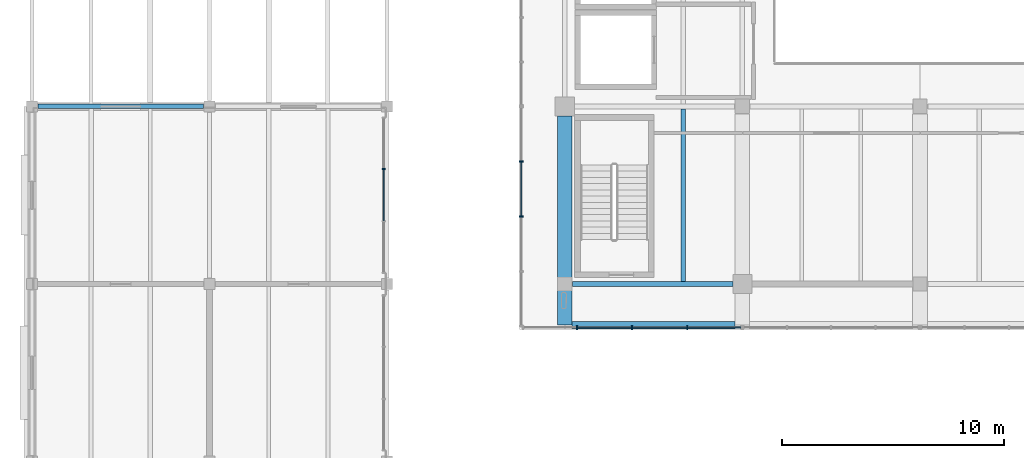
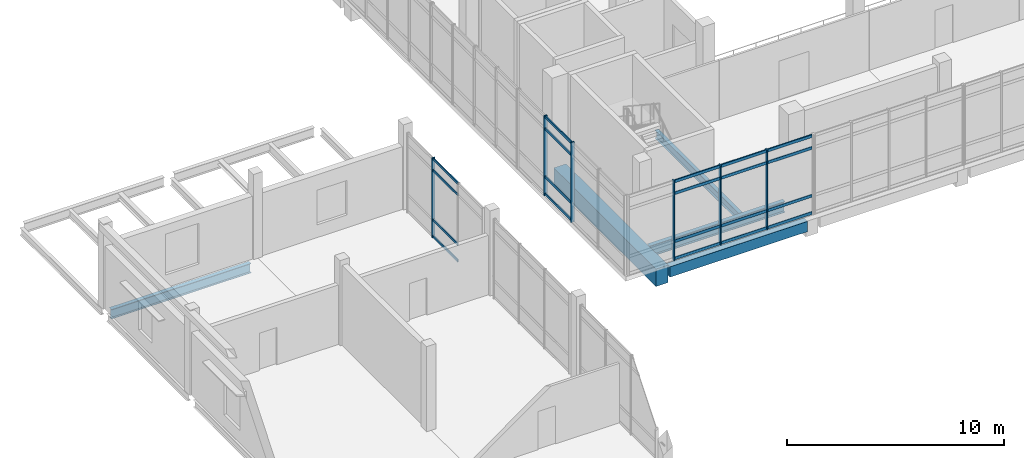
# One storey, part 4 of 28: 26 members, 5 beams, 3 elements without a shape of their own.
"""IFC4 building model written with IfcOpenShell, lengths in metres."""

from ifc_helpers import new_model, si_unit, direction, frame, origin, origin_2d, place, context, subcontext, project, spatial, rectangle, i_section, extrude, material, material_profile, profile_set, type_object, element, aggregate, save


model = new_model("IFC4")

# Units and contexts
model_context = context("Model", 3, precision=1e-05, world=origin(), true_north=direction((0.0, 1.0)))
body_context = subcontext(model_context, "Body", "Model", "MODEL_VIEW")
ifc_project = project(units=[si_unit("LENGTHUNIT", "METRE"), si_unit("AREAUNIT", "SQUARE_METRE"), si_unit("VOLUMEUNIT", "CUBIC_METRE"), si_unit("PLANEANGLEUNIT", "RADIAN"), si_unit("MASSUNIT", "GRAM", prefix="KILO")], contexts=[model_context])

# Site, building, storey
site_placement = place(None, origin())
site = spatial("IfcSite", under=ifc_project, at=site_placement, CompositionType="ELEMENT")
building_placement = place(site_placement, origin())
building = spatial("IfcBuilding", under=site, at=building_placement, Name="Pecanmere Concourse Central Library", CompositionType="ELEMENT")
storey_placement = place(building_placement, frame((0.0, 0.0, 20.10009765625)))
storey = spatial("IfcBuildingStorey", under=building, at=storey_placement, Name="L05", CompositionType="ELEMENT", Elevation=20.10009765625)

# Curtain wall, member
ifc_material_1 = material(Name="Clear anodized aluminium alloy 6063-T6", Category="aluminium")
curtain_wall_type_1 = type_object("IfcCurtainWallType", Name="CW_CLOISTER_GLAZ", PredefinedType="USERDEFINED", material=ifc_material_1)
curtain_wall_1_placement = place(storey_placement, origin())
curtain_wall_1 = element("IfcCurtainWall", 1, at=curtain_wall_1_placement, inside=storey, type_object=curtain_wall_type_1, Name="Unitised Curtain Wall CW-04 L05-162", ObjectType="UNITISED CURTAIN WALL", PredefinedType="USERDEFINED")
ifc_material_2 = material(Name="Clear anodized aluminium alloy 6063-T6", Category="aluminium")
ifc_material_profile_1 = material_profile(ifc_material_2, rectangle(XDim=0.06005859375, YDim=0.14990234375, at=origin_2d()), Name="AL 60x150")
ifc_profile_set_1 = profile_set([ifc_material_profile_1], Name="Clear anodized aluminium alloy 6063-T6")
member_type_1 = type_object("IfcMemberType", Name="CWM_150x60", PredefinedType="MULLION", material=ifc_profile_set_1)
member_1_placement = place(storey_placement, frame((63.85009765625, 95.17333984375, 0.0), z_axis=(0.0, 0.0, 1.0), x_axis=(0.0, 1.0, 0.0)))
member_1 = element("IfcMember", 2, at=member_1_placement, type_object=member_type_1, Name="CW-04 Mullion 3", PredefinedType="MULLION", context=body_context, shape_type="SweptSolid", body=[
    extrude(rectangle(XDim=0.06005859375, YDim=0.14990234375, at=origin_2d()), origin(), (0.0, 0.0, 1.0), 4.5),
])

# Curtain wall, members
ifc_material_3 = material(Name="Anodized bronze aluminium alloy 6063-T6", Category="aluminium")
curtain_wall_type_2 = type_object("IfcCurtainWallType", Name="CW_PLUMB_BANDED", PredefinedType="USERDEFINED", material=ifc_material_3)
curtain_wall_2_placement = place(storey_placement, origin())
curtain_wall_2 = element("IfcCurtainWall", 3, at=curtain_wall_2_placement, inside=storey, type_object=curtain_wall_type_2, Name="Unitised Curtain Wall CW-02 L05-058", ObjectType="UNITISED CURTAIN WALL", PredefinedType="USERDEFINED")
ifc_material_4 = material(Name="Anodized bronze aluminium alloy 6063-T6", Category="aluminium")
ifc_material_profile_2 = material_profile(ifc_material_4, rectangle(XDim=0.06494140625, YDim=0.179931640625, at=origin_2d()), Name="AL 65x180")
ifc_profile_set_2 = profile_set([ifc_material_profile_2], Name="Anodized bronze aluminium alloy 6063-T6")
member_type_2 = type_object("IfcMemberType", Name="CWM_180x65", PredefinedType="MULLION", material=ifc_profile_set_2)
member_2_placement = place(storey_placement, frame((72.5576171875, 88.03857421875, 0.0), z_axis=(0.0, 0.0, 1.0), x_axis=(1.0, 0.0, 0.0)))
member_2 = element("IfcMember", 4, at=member_2_placement, type_object=member_type_2, Name="CW-02 Mullion 2", PredefinedType="MULLION", context=body_context, shape_type="SweptSolid", body=[
    extrude(rectangle(XDim=0.06494140625, YDim=0.179931640625, at=origin_2d()), origin(), (0.0, 0.0, 1.0), 4.5),
])
member_3_placement = place(storey_placement, frame((75.036865234375, 88.03857421875, 0.0), z_axis=(0.0, 0.0, 1.0), x_axis=(1.0, 0.0, 0.0)))
member_3 = element("IfcMember", 5, at=member_3_placement, type_object=member_type_2, Name="CW-02 Mullion 3", PredefinedType="MULLION", context=body_context, shape_type="SweptSolid", body=[
    extrude(rectangle(XDim=0.06494140625, YDim=0.179931640625, at=origin_2d()), origin(), (0.0, 0.0, 1.0), 4.5),
])
member_4_placement = place(storey_placement, frame((77.515869140625, 88.03857421875, 0.0), z_axis=(0.0, 0.0, 1.0), x_axis=(1.0, 0.0, 0.0)))
member_4 = element("IfcMember", 6, at=member_4_placement, type_object=member_type_2, Name="CW-02 Mullion 4", PredefinedType="MULLION", context=body_context, shape_type="SweptSolid", body=[
    extrude(rectangle(XDim=0.06494140625, YDim=0.179931640625, at=origin_2d()), origin(), (0.0, 0.0, 1.0), 4.5),
])

curtain_wall_3_placement = place(storey_placement, origin())
curtain_wall_3 = element("IfcCurtainWall", 7, at=curtain_wall_3_placement, inside=storey, type_object=curtain_wall_type_2, Name="Unitised Curtain Wall CW-02 L05-069", ObjectType="UNITISED CURTAIN WALL", PredefinedType="USERDEFINED")
member_5_placement = place(storey_placement, frame((70.03857421875, 95.515869140625, 0.0), z_axis=(0.0, 0.0, 1.0), x_axis=(0.0, -1.0, 0.0)))
member_5 = element("IfcMember", 8, at=member_5_placement, type_object=member_type_2, Name="CW-02 Mullion 2", PredefinedType="MULLION", context=body_context, shape_type="SweptSolid", body=[
    extrude(rectangle(XDim=0.06494140625, YDim=0.179931640625, at=origin_2d()), origin(), (0.0, 0.0, 1.0), 4.5),
])
member_6_placement = place(storey_placement, frame((70.03857421875, 93.036865234375, 0.0), z_axis=(0.0, 0.0, 1.0), x_axis=(0.0, -1.0, 0.0)))
member_6 = element("IfcMember", 9, at=member_6_placement, type_object=member_type_2, Name="CW-02 Mullion 3", PredefinedType="MULLION", context=body_context, shape_type="SweptSolid", body=[
    extrude(rectangle(XDim=0.06494140625, YDim=0.179931640625, at=origin_2d()), origin(), (0.0, 0.0, 1.0), 4.5),
])

# Member
ifc_material_5 = material(Name="Clear anodized aluminium alloy 6063-T6", Category="aluminium")
ifc_material_profile_3 = material_profile(ifc_material_5, rectangle(XDim=0.054931640625, YDim=0.139892578125, at=origin_2d()), Name="AL 55x140")
ifc_profile_set_3 = profile_set([ifc_material_profile_3], Name="Clear anodized aluminium alloy 6063-T6")
member_type_3 = type_object("IfcMemberType", Name="CWT_140x55", PredefinedType="USERDEFINED", material=ifc_profile_set_3)
member_7_placement = place(storey_placement, frame((63.85009765625, 92.856689453125, 0.06982421875), z_axis=(0.0, 1.0, 0.0), x_axis=(-1.0, 0.0, 0.0)))
member_7 = element("IfcMember", 10, at=member_7_placement, type_object=member_type_3, Name="CW-04 Transom 2.1", ObjectType="TRANSOM", PredefinedType="USERDEFINED", context=body_context, shape_type="SweptSolid", body=[
    extrude(rectangle(XDim=0.054931640625, YDim=0.139892578125, at=origin_2d()), origin(), (0.0, 0.0, 1.0), 2.28662109375),
])

member_8_placement = place(storey_placement, frame((63.85009765625, 92.856689453125, 1.0), z_axis=(0.0, 1.0, 0.0), x_axis=(-1.0, 0.0, 0.0)))
member_8 = element("IfcMember", 11, at=member_8_placement, type_object=member_type_3, Name="CW-04 Transom 2.2", ObjectType="TRANSOM", PredefinedType="USERDEFINED", context=body_context, shape_type="SweptSolid", body=[
    extrude(rectangle(XDim=0.054931640625, YDim=0.139892578125, at=origin_2d()), origin(), (0.0, 0.0, 1.0), 2.28662109375),
])

member_9_placement = place(storey_placement, frame((63.85009765625, 92.856689453125, 3.7998046875), z_axis=(0.0, 1.0, 0.0), x_axis=(-1.0, 0.0, 0.0)))
member_9 = element("IfcMember", 12, at=member_9_placement, type_object=member_type_3, Name="CW-04 Transom 2.3", ObjectType="TRANSOM", PredefinedType="USERDEFINED", context=body_context, shape_type="SweptSolid", body=[
    extrude(rectangle(XDim=0.054931640625, YDim=0.139892578125, at=origin_2d()), origin(), (0.0, 0.0, 1.0), 2.28662109375),
])

member_10_placement = place(storey_placement, frame((63.85009765625, 92.856689453125, 4.429931640625), z_axis=(0.0, 1.0, 0.0), x_axis=(-1.0, 0.0, 0.0)))
member_10 = element("IfcMember", 13, at=member_10_placement, type_object=member_type_3, Name="CW-04 Transom 2.4", ObjectType="TRANSOM", PredefinedType="USERDEFINED", context=body_context, shape_type="SweptSolid", body=[
    extrude(rectangle(XDim=0.054931640625, YDim=0.139892578125, at=origin_2d()), origin(), (0.0, 0.0, 1.0), 2.28662109375),
])

aggregate(curtain_wall_1, [member_1, member_7, member_8, member_9, member_10])

ifc_material_6 = material(Name="Anodized bronze aluminium alloy 6063-T6", Category="aluminium")
ifc_material_profile_4 = material_profile(ifc_material_6, rectangle(XDim=0.06005859375, YDim=0.159912109375, at=origin_2d()), Name="AL 60x160")
ifc_profile_set_4 = profile_set([ifc_material_profile_4], Name="Anodized bronze aluminium alloy 6063-T6")
member_type_4 = type_object("IfcMemberType", Name="CWT_160x60", PredefinedType="USERDEFINED", material=ifc_profile_set_4)
member_11_placement = place(storey_placement, frame((72.590087890625, 88.03857421875, 0.079833984375), z_axis=(1.0, 0.0, 0.0), x_axis=(0.0, 1.0, 0.0)))
member_11 = element("IfcMember", 14, at=member_11_placement, type_object=member_type_4, Name="CW-02 Transom 2.1", ObjectType="TRANSOM", PredefinedType="USERDEFINED", context=body_context, shape_type="SweptSolid", body=[
    extrude(rectangle(XDim=0.06005859375, YDim=0.159912109375, at=origin_2d()), origin(), (0.0, 0.0, 1.0), 2.4140625),
])

member_12_placement = place(storey_placement, frame((72.590087890625, 88.03857421875, 1.0498046875), z_axis=(1.0, 0.0, 0.0), x_axis=(0.0, 1.0, 0.0)))
member_12 = element("IfcMember", 15, at=member_12_placement, type_object=member_type_4, Name="CW-02 Transom 2.2", ObjectType="TRANSOM", PredefinedType="USERDEFINED", context=body_context, shape_type="SweptSolid", body=[
    extrude(rectangle(XDim=0.06005859375, YDim=0.159912109375, at=origin_2d()), origin(), (0.0, 0.0, 1.0), 2.4140625),
])

member_13_placement = place(storey_placement, frame((72.590087890625, 88.03857421875, 3.75), z_axis=(1.0, 0.0, 0.0), x_axis=(0.0, 1.0, 0.0)))
member_13 = element("IfcMember", 16, at=member_13_placement, type_object=member_type_4, Name="CW-02 Transom 2.3", ObjectType="TRANSOM", PredefinedType="USERDEFINED", context=body_context, shape_type="SweptSolid", body=[
    extrude(rectangle(XDim=0.06005859375, YDim=0.159912109375, at=origin_2d()), origin(), (0.0, 0.0, 1.0), 2.4140625),
])

member_14_placement = place(storey_placement, frame((72.590087890625, 88.03857421875, 4.419921875), z_axis=(1.0, 0.0, 0.0), x_axis=(0.0, 1.0, 0.0)))
member_14 = element("IfcMember", 17, at=member_14_placement, type_object=member_type_4, Name="CW-02 Transom 2.4", ObjectType="TRANSOM", PredefinedType="USERDEFINED", context=body_context, shape_type="SweptSolid", body=[
    extrude(rectangle(XDim=0.06005859375, YDim=0.159912109375, at=origin_2d()), origin(), (0.0, 0.0, 1.0), 2.4140625),
])

member_15_placement = place(storey_placement, frame((75.0693359375, 88.03857421875, 0.079833984375), z_axis=(1.0, 0.0, 0.0), x_axis=(0.0, 1.0, 0.0)))
member_15 = element("IfcMember", 18, at=member_15_placement, type_object=member_type_4, Name="CW-02 Transom 3.1", ObjectType="TRANSOM", PredefinedType="USERDEFINED", context=body_context, shape_type="SweptSolid", body=[
    extrude(rectangle(XDim=0.06005859375, YDim=0.159912109375, at=origin_2d()), origin(), (0.0, 0.0, 1.0), 2.4140625),
])

member_16_placement = place(storey_placement, frame((75.0693359375, 88.03857421875, 1.0498046875), z_axis=(1.0, 0.0, 0.0), x_axis=(0.0, 1.0, 0.0)))
member_16 = element("IfcMember", 19, at=member_16_placement, type_object=member_type_4, Name="CW-02 Transom 3.2", ObjectType="TRANSOM", PredefinedType="USERDEFINED", context=body_context, shape_type="SweptSolid", body=[
    extrude(rectangle(XDim=0.06005859375, YDim=0.159912109375, at=origin_2d()), origin(), (0.0, 0.0, 1.0), 2.4140625),
])

member_17_placement = place(storey_placement, frame((75.0693359375, 88.03857421875, 3.75), z_axis=(1.0, 0.0, 0.0), x_axis=(0.0, 1.0, 0.0)))
member_17 = element("IfcMember", 20, at=member_17_placement, type_object=member_type_4, Name="CW-02 Transom 3.3", ObjectType="TRANSOM", PredefinedType="USERDEFINED", context=body_context, shape_type="SweptSolid", body=[
    extrude(rectangle(XDim=0.06005859375, YDim=0.159912109375, at=origin_2d()), origin(), (0.0, 0.0, 1.0), 2.4140625),
])

member_18_placement = place(storey_placement, frame((75.0693359375, 88.03857421875, 4.419921875), z_axis=(1.0, 0.0, 0.0), x_axis=(0.0, 1.0, 0.0)))
member_18 = element("IfcMember", 21, at=member_18_placement, type_object=member_type_4, Name="CW-02 Transom 3.4", ObjectType="TRANSOM", PredefinedType="USERDEFINED", context=body_context, shape_type="SweptSolid", body=[
    extrude(rectangle(XDim=0.06005859375, YDim=0.159912109375, at=origin_2d()), origin(), (0.0, 0.0, 1.0), 2.4140625),
])

member_19_placement = place(storey_placement, frame((77.54833984375, 88.03857421875, 0.079833984375), z_axis=(1.0, 0.0, 0.0), x_axis=(0.0, 1.0, 0.0)))
member_19 = element("IfcMember", 22, at=member_19_placement, type_object=member_type_4, Name="CW-02 Transom 4.1", ObjectType="TRANSOM", PredefinedType="USERDEFINED", context=body_context, shape_type="SweptSolid", body=[
    extrude(rectangle(XDim=0.06005859375, YDim=0.159912109375, at=origin_2d()), origin(), (0.0, 0.0, 1.0), 2.381591796875),
])

member_20_placement = place(storey_placement, frame((77.54833984375, 88.03857421875, 1.0498046875), z_axis=(1.0, 0.0, 0.0), x_axis=(0.0, 1.0, 0.0)))
member_20 = element("IfcMember", 23, at=member_20_placement, type_object=member_type_4, Name="CW-02 Transom 4.2", ObjectType="TRANSOM", PredefinedType="USERDEFINED", context=body_context, shape_type="SweptSolid", body=[
    extrude(rectangle(XDim=0.06005859375, YDim=0.159912109375, at=origin_2d()), origin(), (0.0, 0.0, 1.0), 2.381591796875),
])

member_21_placement = place(storey_placement, frame((77.54833984375, 88.03857421875, 3.75), z_axis=(1.0, 0.0, 0.0), x_axis=(0.0, 1.0, 0.0)))
member_21 = element("IfcMember", 24, at=member_21_placement, type_object=member_type_4, Name="CW-02 Transom 4.3", ObjectType="TRANSOM", PredefinedType="USERDEFINED", context=body_context, shape_type="SweptSolid", body=[
    extrude(rectangle(XDim=0.06005859375, YDim=0.159912109375, at=origin_2d()), origin(), (0.0, 0.0, 1.0), 2.381591796875),
])

member_22_placement = place(storey_placement, frame((77.54833984375, 88.03857421875, 4.419921875), z_axis=(1.0, 0.0, 0.0), x_axis=(0.0, 1.0, 0.0)))
member_22 = element("IfcMember", 25, at=member_22_placement, type_object=member_type_4, Name="CW-02 Transom 4.4", ObjectType="TRANSOM", PredefinedType="USERDEFINED", context=body_context, shape_type="SweptSolid", body=[
    extrude(rectangle(XDim=0.06005859375, YDim=0.159912109375, at=origin_2d()), origin(), (0.0, 0.0, 1.0), 2.381591796875),
])

aggregate(curtain_wall_2, [member_2, member_3, member_4, member_11, member_12, member_13, member_14, member_15, member_16, member_17, member_18, member_19, member_20, member_21, member_22])

member_23_placement = place(storey_placement, frame((70.03857421875, 95.4833984375, 0.079833984375), z_axis=(0.0, -1.0, 0.0), x_axis=(1.0, 0.0, 0.0)))
member_23 = element("IfcMember", 26, at=member_23_placement, type_object=member_type_4, Name="CW-02 Transom 2.1", ObjectType="TRANSOM", PredefinedType="USERDEFINED", context=body_context, shape_type="SweptSolid", body=[
    extrude(rectangle(XDim=0.06005859375, YDim=0.159912109375, at=origin_2d()), origin(), (0.0, 0.0, 1.0), 2.4140625),
])

member_24_placement = place(storey_placement, frame((70.03857421875, 95.4833984375, 1.0498046875), z_axis=(0.0, -1.0, 0.0), x_axis=(1.0, 0.0, 0.0)))
member_24 = element("IfcMember", 27, at=member_24_placement, type_object=member_type_4, Name="CW-02 Transom 2.2", ObjectType="TRANSOM", PredefinedType="USERDEFINED", context=body_context, shape_type="SweptSolid", body=[
    extrude(rectangle(XDim=0.06005859375, YDim=0.159912109375, at=origin_2d()), origin(), (0.0, 0.0, 1.0), 2.4140625),
])

member_25_placement = place(storey_placement, frame((70.03857421875, 95.4833984375, 3.75), z_axis=(0.0, -1.0, 0.0), x_axis=(1.0, 0.0, 0.0)))
member_25 = element("IfcMember", 28, at=member_25_placement, type_object=member_type_4, Name="CW-02 Transom 2.3", ObjectType="TRANSOM", PredefinedType="USERDEFINED", context=body_context, shape_type="SweptSolid", body=[
    extrude(rectangle(XDim=0.06005859375, YDim=0.159912109375, at=origin_2d()), origin(), (0.0, 0.0, 1.0), 2.4140625),
])

member_26_placement = place(storey_placement, frame((70.03857421875, 95.4833984375, 4.419921875), z_axis=(0.0, -1.0, 0.0), x_axis=(1.0, 0.0, 0.0)))
member_26 = element("IfcMember", 29, at=member_26_placement, type_object=member_type_4, Name="CW-02 Transom 2.4", ObjectType="TRANSOM", PredefinedType="USERDEFINED", context=body_context, shape_type="SweptSolid", body=[
    extrude(rectangle(XDim=0.06005859375, YDim=0.159912109375, at=origin_2d()), origin(), (0.0, 0.0, 1.0), 2.4140625),
])

aggregate(curtain_wall_3, [member_5, member_6, member_23, member_24, member_25, member_26])

# Beams
ifc_material_7 = material(Name="Concrete C40/50", Category="concrete")
ifc_material_profile_5 = material_profile(ifc_material_7, rectangle(XDim=0.659912109375, YDim=0.97998046875, at=origin_2d()), Name="RC 660x980")
ifc_profile_set_5 = profile_set([ifc_material_profile_5], Name="Concrete C40/50")
beam_type_1 = type_object("IfcBeamType", Name="GRD_660x980", PredefinedType="USERDEFINED", material=ifc_profile_set_5)
beam_1_placement = place(storey_placement, frame((72.0, 88.1484375, -0.77001953125), z_axis=(0.0, 1.0, 0.0), x_axis=(-1.0, 0.0, 0.0)))
element("IfcBeam", 30, at=beam_1_placement, inside=storey, type_object=beam_type_1, Name="Primary Girder Y L05-2505", ObjectType="GIRDER", PredefinedType="USERDEFINED", context=body_context, shape_type="SweptSolid", body=[
    extrude(rectangle(XDim=0.659912109375, YDim=0.97998046875, at=origin_2d()), origin(), (0.0, 0.0, 1.0), 9.421630859375),
])
ifc_material_8 = material(Name="Structural steel ASTM A992 Grade 50", Category="steel")
ifc_material_profile_6 = material_profile(ifc_material_8, i_section(OverallWidth=0.194091796875, OverallDepth=0.468994140625, WebThickness=0.0126953125, FlangeThickness=0.0205078125, at=origin_2d()), Name="W460x106")
ifc_profile_set_6 = profile_set([ifc_material_profile_6], Name="Structural steel ASTM A992 Grade 50")
beam_type_2 = type_object("IfcBeamType", Name="SBM_W460x106", PredefinedType="USERDEFINED", material=ifc_profile_set_6)
beam_2_placement = place(storey_placement, frame((77.333251953125, 90.114990234375, -0.5146484375), z_axis=(0.0, 1.0, 0.0), x_axis=(-1.0, 0.0, 0.0)))
element("IfcBeam", 31, at=beam_2_placement, inside=storey, type_object=beam_type_2, Name="Secondary Floor Joist L05-2580", ObjectType="GIRDER", PredefinedType="USERDEFINED", context=body_context, shape_type="SweptSolid", body=[
    extrude(i_section(OverallWidth=0.194091796875, OverallDepth=0.468994140625, WebThickness=0.0126953125, FlangeThickness=0.0205078125, at=origin_2d()), origin(), (0.0, 0.0, 1.0), 7.77001953125),
])
ifc_material_9 = material(Name="Structural steel ASTM A992 Grade 50", Category="steel")
ifc_material_profile_7 = material_profile(ifc_material_9, i_section(OverallWidth=0.2109375, OverallDepth=0.5390625, WebThickness=0.01171875, FlangeThickness=0.018798828125, at=origin_2d()), Name="W530x109")
ifc_profile_set_7 = profile_set([ifc_material_profile_7], Name="Structural steel ASTM A992 Grade 50")
beam_type_3 = type_object("IfcBeamType", Name="SBM_W530x109", PredefinedType="USERDEFINED", material=ifc_profile_set_7)
beam_3_placement = place(storey_placement, frame((48.27490234375, 98.0, -0.549560546875), z_axis=(1.0, 0.0, 0.0), x_axis=(0.0, 1.0, 0.0)))
element("IfcBeam", 32, at=beam_3_placement, inside=storey, type_object=beam_type_3, Name="Primary Girder X L05-2462", ObjectType="GIRDER", PredefinedType="USERDEFINED", context=body_context, shape_type="SweptSolid", body=[
    extrude(i_section(OverallWidth=0.2109375, OverallDepth=0.5390625, WebThickness=0.01171875, FlangeThickness=0.018798828125, at=origin_2d()), origin(), (0.0, 0.0, 1.0), 7.4501953125),
])
ifc_material_10 = material(Name="Structural steel ASTM A992 Grade 50", Category="steel")
ifc_material_profile_8 = material_profile(ifc_material_10, i_section(OverallWidth=0.22998046875, OverallDepth=0.616943359375, WebThickness=0.01318359375, FlangeThickness=0.022216796875, at=origin_2d()), Name="W610x140")
ifc_profile_set_8 = profile_set([ifc_material_profile_8], Name="Structural steel ASTM A992 Grade 50")
beam_type_4 = type_object("IfcBeamType", Name="SBM_W610x140", PredefinedType="USERDEFINED", material=ifc_profile_set_8)
beam_4_placement = place(storey_placement, frame((72.35009765625, 90.0, -0.588623046875), z_axis=(1.0, 0.0, 0.0), x_axis=(0.0, 1.0, 0.0)))
element("IfcBeam", 33, at=beam_4_placement, inside=storey, type_object=beam_type_4, Name="Primary Girder X L05-2456", ObjectType="GIRDER", PredefinedType="USERDEFINED", context=body_context, shape_type="SweptSolid", body=[
    extrude(i_section(OverallWidth=0.22998046875, OverallDepth=0.616943359375, WebThickness=0.01318359375, FlangeThickness=0.022216796875, at=origin_2d()), origin(), (0.0, 0.0, 1.0), 7.219970703125),
])
ifc_material_11 = material(Name="Concrete C40/50", Category="concrete")
ifc_material_profile_9 = material_profile(ifc_material_11, rectangle(XDim=0.340087890625, YDim=0.580078125, at=origin_2d()), Name="RC 340x580")
ifc_profile_set_9 = profile_set([ifc_material_profile_9], Name="Concrete C40/50")
beam_type_5 = type_object("IfcBeamType", Name="SPB_340x580", PredefinedType="BEAM", material=ifc_profile_set_9)
beam_5_placement = place(storey_placement, frame((72.330078125, 88.1484375, -0.570068359375), z_axis=(1.0, 0.0, 0.0), x_axis=(0.0, 1.0, 0.0)))
element("IfcBeam", 34, at=beam_5_placement, inside=storey, type_object=beam_type_5, Name="Leaning Facade Edge Beam L05-2544", PredefinedType="BEAM", context=body_context, shape_type="SweptSolid", body=[
    extrude(rectangle(XDim=0.340087890625, YDim=0.580078125, at=origin_2d()), origin(), (0.0, 0.0, 1.0), 7.33984375),
])

save(model, "model.ifc")
